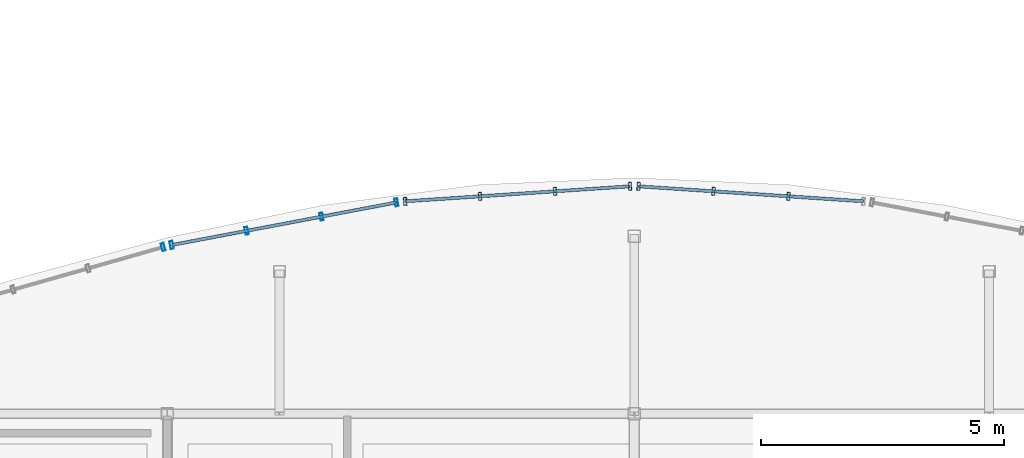
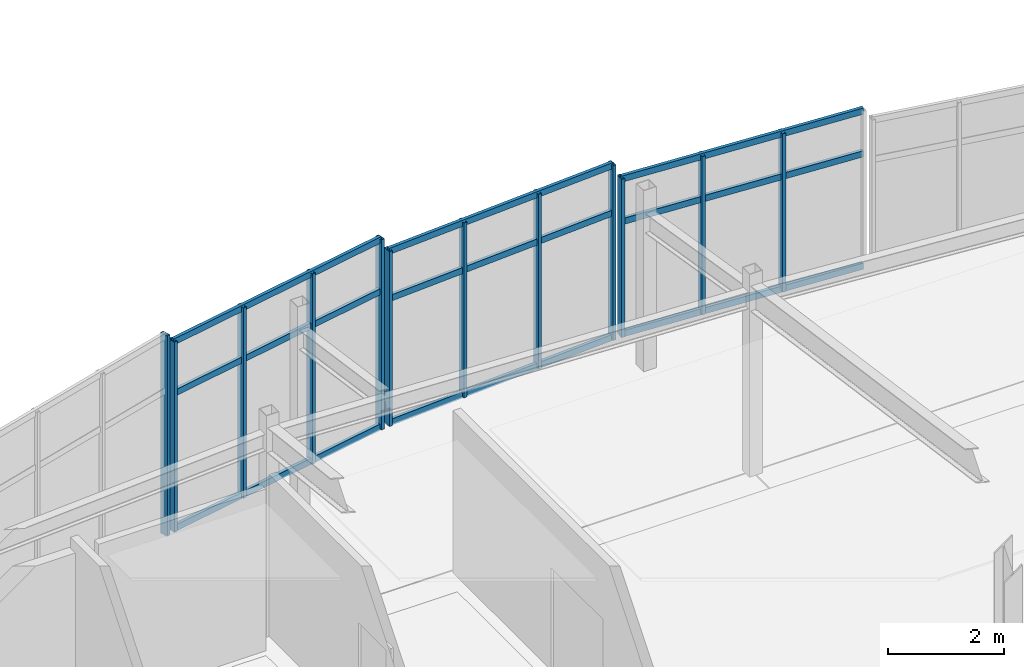
# One storey, part 32 of 114: 21 members, 4 elements without a shape of their own.
"""IFC4 building model written with IfcOpenShell, lengths in metres."""

from ifc_helpers import new_model, si_unit, direction, frame, origin, origin_2d, place, context, subcontext, project, spatial, hollow_rectangle, extrude, material, layer, layer_set, material_profile, profile_set, type_object, element, aggregate, save


model = new_model("IFC4")

# Units and contexts
model_context = context("Model", 3, precision=1e-05, world=origin(), true_north=direction((0.0, 1.0)))
body_context = subcontext(model_context, "Body", "Model", "MODEL_VIEW")
ifc_project = project(units=[si_unit("LENGTHUNIT", "METRE"), si_unit("AREAUNIT", "SQUARE_METRE"), si_unit("VOLUMEUNIT", "CUBIC_METRE"), si_unit("PLANEANGLEUNIT", "RADIAN"), si_unit("MASSUNIT", "GRAM", prefix="KILO")], contexts=[model_context])

# Site, building, storey
site_placement = place(None, origin())
site = spatial("IfcSite", under=ifc_project, at=site_placement, CompositionType="ELEMENT")
building_placement = place(site_placement, origin())
building = spatial("IfcBuilding", under=site, at=building_placement, Name="Chalmorin Arch Market", CompositionType="ELEMENT")
storey_placement = place(building_placement, frame((0.0, 0.0, 9.60009765625)))
storey = spatial("IfcBuildingStorey", under=building, at=storey_placement, Name="L02", CompositionType="ELEMENT", Elevation=9.60009765625)

# Curtain wall, member
ifc_material = material(Name="Aluminium 6063-T6", Category="aluminium")
ifc_layer_1 = layer(ifc_material, 0.159912109375)
ifc_layer_set_1 = layer_set([ifc_layer_1], Name="Aluminium 6063-T6")
curtain_wall_type_1 = type_object("IfcCurtainWallType", Name="RiverfrontStorefrontCurtainWall-CW2-4810x4210", PredefinedType="NOTDEFINED", material=ifc_layer_set_1)
curtain_wall_1_placement = place(storey_placement, origin())
curtain_wall_1 = element("IfcCurtainWall", 1, at=curtain_wall_1_placement, inside=storey, type_object=curtain_wall_type_1, Name="CW-02-074", PredefinedType="NOTDEFINED")
ifc_material_profile_1 = material_profile(ifc_material, hollow_rectangle(XDim=0.06494140625, YDim=0.159912109375, WallThickness=0.00390625, at=origin_2d()), Name="ALU65X160X4")
ifc_profile_set_1 = profile_set([ifc_material_profile_1], Name="Aluminium 6063-T6")
member_type_1 = type_object("IfcMemberType", Name="CurtainWallMullion-65x160", PredefinedType="MULLION", material=ifc_profile_set_1)
member_1_placement = place(storey_placement, frame((9.513427734375, 53.42529296875, 0.0), z_axis=(0.0, 0.0, 1.0), x_axis=(0.961261695938, 0.275637355817, 0.0)))
member_1 = element("IfcMember", 2, at=member_1_placement, type_object=member_type_1, Name="ML-074-04", PredefinedType="MULLION", context=body_context, shape_type="SweptSolid", body=[
    extrude(hollow_rectangle(XDim=0.06494140625, YDim=0.159912109375, WallThickness=0.00390625, at=origin_2d()), origin(), (0.0, 0.0, 1.0), 4.212890625),
])
aggregate(curtain_wall_1, [member_1])

# Curtain wall, members
ifc_layer_2 = layer(ifc_material, 0.159912109375)
ifc_layer_set_2 = layer_set([ifc_layer_2], Name="Aluminium 6063-T6")
curtain_wall_type_2 = type_object("IfcCurtainWallType", Name="RiverfrontStorefrontCurtainWall-CW2-4710x4000", PredefinedType="NOTDEFINED", material=ifc_layer_set_2)
curtain_wall_2_placement = place(storey_placement, origin())
curtain_wall_2 = element("IfcCurtainWall", 3, at=curtain_wall_2_placement, inside=storey, type_object=curtain_wall_type_2, Name="CW-02-077", PredefinedType="NOTDEFINED")
member_2_placement = place(storey_placement, frame((9.6884765625, 53.466796875, 0.0), z_axis=(0.0, 0.0, 1.0), x_axis=(0.981627183448, 0.190808995377, 0.0)))
member_2 = element("IfcMember", 4, at=member_2_placement, type_object=member_type_1, Name="ML-077-01", PredefinedType="MULLION", context=body_context, shape_type="SweptSolid", body=[
    extrude(hollow_rectangle(XDim=0.06494140625, YDim=0.159912109375, WallThickness=0.00390625, at=origin_2d()), origin(), (0.0, 0.0, 1.0), 3.995849609375),
])
member_3_placement = place(storey_placement, frame((11.2294921875, 53.7587890625, 0.0), z_axis=(0.0, 0.0, 1.0), x_axis=(0.981627183448, 0.190808995377, 0.0)))
member_3 = element("IfcMember", 5, at=member_3_placement, type_object=member_type_1, Name="ML-077-02", PredefinedType="MULLION", context=body_context, shape_type="SweptSolid", body=[
    extrude(hollow_rectangle(XDim=0.06494140625, YDim=0.159912109375, WallThickness=0.00390625, at=origin_2d()), origin(), (0.0, 0.0, 1.0), 3.995849609375),
])
member_4_placement = place(storey_placement, frame((12.7705078125, 54.051025390625, 0.0), z_axis=(0.0, 0.0, 1.0), x_axis=(0.981627183448, 0.190808995377, 0.0)))
member_4 = element("IfcMember", 6, at=member_4_placement, type_object=member_type_1, Name="ML-077-03", PredefinedType="MULLION", context=body_context, shape_type="SweptSolid", body=[
    extrude(hollow_rectangle(XDim=0.06494140625, YDim=0.159912109375, WallThickness=0.00390625, at=origin_2d()), origin(), (0.0, 0.0, 1.0), 3.995849609375),
])
member_5_placement = place(storey_placement, frame((14.3115234375, 54.34326171875, 0.0), z_axis=(0.0, 0.0, 1.0), x_axis=(0.981627183448, 0.190808995377, 0.0)))
member_5 = element("IfcMember", 7, at=member_5_placement, type_object=member_type_1, Name="ML-077-04", PredefinedType="MULLION", context=body_context, shape_type="SweptSolid", body=[
    extrude(hollow_rectangle(XDim=0.06494140625, YDim=0.159912109375, WallThickness=0.00390625, at=origin_2d()), origin(), (0.0, 0.0, 1.0), 3.995849609375),
])

ifc_layer_3 = layer(ifc_material, 0.159912109375)
ifc_layer_set_3 = layer_set([ifc_layer_3], Name="Aluminium 6063-T6")
curtain_wall_type_3 = type_object("IfcCurtainWallType", Name="RiverfrontStorefrontCurtainWall-CW2-4630x3670", PredefinedType="NOTDEFINED", material=ifc_layer_set_3)
curtain_wall_3_placement = place(storey_placement, origin())
curtain_wall_3 = element("IfcCurtainWall", 8, at=curtain_wall_3_placement, inside=storey, type_object=curtain_wall_type_3, Name="CW-02-080", PredefinedType="NOTDEFINED")
member_6_placement = place(storey_placement, frame((14.48974609375, 54.365966796875, 0.0), z_axis=(0.0, 0.0, 1.0), x_axis=(0.99756405026, 0.069756473744, 0.0)))
member_6 = element("IfcMember", 9, at=member_6_placement, type_object=member_type_1, Name="ML-080-01", PredefinedType="MULLION", context=body_context, shape_type="SweptSolid", body=[
    extrude(hollow_rectangle(XDim=0.06494140625, YDim=0.159912109375, WallThickness=0.00390625, at=origin_2d()), origin(), (0.0, 0.0, 1.0), 3.673828125),
])
member_7_placement = place(storey_placement, frame((16.02978515625, 54.46875, 0.0), z_axis=(0.0, 0.0, 1.0), x_axis=(0.99756405026, 0.069756473744, 0.0)))
member_7 = element("IfcMember", 10, at=member_7_placement, type_object=member_type_1, Name="ML-080-02", PredefinedType="MULLION", context=body_context, shape_type="SweptSolid", body=[
    extrude(hollow_rectangle(XDim=0.06494140625, YDim=0.159912109375, WallThickness=0.00390625, at=origin_2d()), origin(), (0.0, 0.0, 1.0), 3.673828125),
])
member_8_placement = place(storey_placement, frame((17.570068359375, 54.5712890625, 0.0), z_axis=(0.0, 0.0, 1.0), x_axis=(0.99756405026, 0.069756473744, 0.0)))
member_8 = element("IfcMember", 11, at=member_8_placement, type_object=member_type_1, Name="ML-080-03", PredefinedType="MULLION", context=body_context, shape_type="SweptSolid", body=[
    extrude(hollow_rectangle(XDim=0.06494140625, YDim=0.159912109375, WallThickness=0.00390625, at=origin_2d()), origin(), (0.0, 0.0, 1.0), 3.673828125),
])
member_9_placement = place(storey_placement, frame((19.110107421875, 54.674072265625, 0.0), z_axis=(0.0, 0.0, 1.0), x_axis=(0.99756405026, 0.069756473744, 0.0)))
member_9 = element("IfcMember", 12, at=member_9_placement, type_object=member_type_1, Name="ML-080-04", PredefinedType="MULLION", context=body_context, shape_type="SweptSolid", body=[
    extrude(hollow_rectangle(XDim=0.06494140625, YDim=0.159912109375, WallThickness=0.00390625, at=origin_2d()), origin(), (0.0, 0.0, 1.0), 3.673828125),
])

ifc_layer_4 = layer(ifc_material, 0.159912109375)
ifc_layer_set_4 = layer_set([ifc_layer_4], Name="Aluminium 6063-T6")
curtain_wall_type_4 = type_object("IfcCurtainWallType", Name="RiverfrontStorefrontCurtainWall-CW2-4630x3330", PredefinedType="NOTDEFINED", material=ifc_layer_set_4)
curtain_wall_4_placement = place(storey_placement, origin())
curtain_wall_4 = element("IfcCurtainWall", 13, at=curtain_wall_4_placement, inside=storey, type_object=curtain_wall_type_4, Name="CW-02-083", PredefinedType="NOTDEFINED")
member_10_placement = place(storey_placement, frame((19.289794921875, 54.674072265625, 0.0), z_axis=(0.0, 0.0, 1.0), x_axis=(0.99756405026, -0.069756473744, 0.0)))
member_10 = element("IfcMember", 14, at=member_10_placement, type_object=member_type_1, Name="ML-083-01", PredefinedType="MULLION", context=body_context, shape_type="SweptSolid", body=[
    extrude(hollow_rectangle(XDim=0.06494140625, YDim=0.159912109375, WallThickness=0.00390625, at=origin_2d()), origin(), (0.0, 0.0, 1.0), 3.325927734375),
])
member_11_placement = place(storey_placement, frame((20.829833984375, 54.5712890625, 0.0), z_axis=(0.0, 0.0, 1.0), x_axis=(0.99756405026, -0.069756473744, 0.0)))
member_11 = element("IfcMember", 15, at=member_11_placement, type_object=member_type_1, Name="ML-083-02", PredefinedType="MULLION", context=body_context, shape_type="SweptSolid", body=[
    extrude(hollow_rectangle(XDim=0.06494140625, YDim=0.159912109375, WallThickness=0.00390625, at=origin_2d()), origin(), (0.0, 0.0, 1.0), 3.325927734375),
])
member_12_placement = place(storey_placement, frame((22.3701171875, 54.46875, 0.0), z_axis=(0.0, 0.0, 1.0), x_axis=(0.99756405026, -0.069756473744, 0.0)))
member_12 = element("IfcMember", 16, at=member_12_placement, type_object=member_type_1, Name="ML-083-03", PredefinedType="MULLION", context=body_context, shape_type="SweptSolid", body=[
    extrude(hollow_rectangle(XDim=0.06494140625, YDim=0.159912109375, WallThickness=0.00390625, at=origin_2d()), origin(), (0.0, 0.0, 1.0), 3.325927734375),
])

# Member
ifc_material_profile_2 = material_profile(ifc_material, hollow_rectangle(XDim=0.06494140625, YDim=0.1298828125, WallThickness=0.00390625, at=origin_2d()), Name="ALU65X130X4")
ifc_profile_set_2 = profile_set([ifc_material_profile_2], Name="Aluminium 6063-T6")
member_type_2 = type_object("IfcMemberType", Name="CurtainWallTransom-65x130", PredefinedType="USERDEFINED", material=ifc_profile_set_2)
member_13_placement = place(storey_placement, frame((9.6884765625, 53.466796875, 0.034912109375), z_axis=(0.982498968618, 0.186268023729, 0.0), x_axis=(-0.186268023729, 0.982498968618, 0.0)))
member_13 = element("IfcMember", 17, at=member_13_placement, type_object=member_type_2, Name="TR-077-01", ObjectType="TRANSOM", PredefinedType="USERDEFINED", context=body_context, shape_type="SweptSolid", body=[
    extrude(hollow_rectangle(XDim=0.06494140625, YDim=0.1298828125, WallThickness=0.00390625, at=origin_2d()), origin(), (0.0, 0.0, 1.0), 4.705322265625),
])

member_14_placement = place(storey_placement, frame((9.6884765625, 53.466796875, 2.876953125), z_axis=(0.982498968618, 0.186268023729, 0.0), x_axis=(-0.186268023729, 0.982498968618, 0.0)))
member_14 = element("IfcMember", 18, at=member_14_placement, type_object=member_type_2, Name="TR-077-02", ObjectType="TRANSOM", PredefinedType="USERDEFINED", context=body_context, shape_type="SweptSolid", body=[
    extrude(hollow_rectangle(XDim=0.06494140625, YDim=0.1298828125, WallThickness=0.00390625, at=origin_2d()), origin(), (0.0, 0.0, 1.0), 4.705322265625),
])

member_15_placement = place(storey_placement, frame((9.6884765625, 53.466796875, 3.9609375), z_axis=(0.982498968618, 0.186268023729, 0.0), x_axis=(-0.186268023729, 0.982498968618, 0.0)))
member_15 = element("IfcMember", 19, at=member_15_placement, type_object=member_type_2, Name="TR-077-03", ObjectType="TRANSOM", PredefinedType="USERDEFINED", context=body_context, shape_type="SweptSolid", body=[
    extrude(hollow_rectangle(XDim=0.06494140625, YDim=0.1298828125, WallThickness=0.00390625, at=origin_2d()), origin(), (0.0, 0.0, 1.0), 4.705322265625),
])

aggregate(curtain_wall_2, [member_2, member_3, member_4, member_5, member_13, member_14, member_15])

member_16_placement = place(storey_placement, frame((14.48974609375, 54.365966796875, 0.034912109375), z_axis=(0.997783991264, 0.066536507106, 0.0), x_axis=(-0.066536507106, 0.997783991264, 0.0)))
member_16 = element("IfcMember", 20, at=member_16_placement, type_object=member_type_2, Name="TR-080-01", ObjectType="TRANSOM", PredefinedType="USERDEFINED", context=body_context, shape_type="SweptSolid", body=[
    extrude(hollow_rectangle(XDim=0.06494140625, YDim=0.1298828125, WallThickness=0.00390625, at=origin_2d()), origin(), (0.0, 0.0, 1.0), 4.630615234375),
])

member_17_placement = place(storey_placement, frame((14.48974609375, 54.365966796875, 2.645263671875), z_axis=(0.997783991264, 0.066536507106, 0.0), x_axis=(-0.066536507106, 0.997783991264, 0.0)))
member_17 = element("IfcMember", 21, at=member_17_placement, type_object=member_type_2, Name="TR-080-02", ObjectType="TRANSOM", PredefinedType="USERDEFINED", context=body_context, shape_type="SweptSolid", body=[
    extrude(hollow_rectangle(XDim=0.06494140625, YDim=0.1298828125, WallThickness=0.00390625, at=origin_2d()), origin(), (0.0, 0.0, 1.0), 4.630615234375),
])

member_18_placement = place(storey_placement, frame((14.48974609375, 54.365966796875, 3.638916015625), z_axis=(0.997783991264, 0.066536507106, 0.0), x_axis=(-0.066536507106, 0.997783991264, 0.0)))
member_18 = element("IfcMember", 22, at=member_18_placement, type_object=member_type_2, Name="TR-080-03", ObjectType="TRANSOM", PredefinedType="USERDEFINED", context=body_context, shape_type="SweptSolid", body=[
    extrude(hollow_rectangle(XDim=0.06494140625, YDim=0.1298828125, WallThickness=0.00390625, at=origin_2d()), origin(), (0.0, 0.0, 1.0), 4.630615234375),
])

aggregate(curtain_wall_3, [member_6, member_7, member_8, member_9, member_16, member_17, member_18])

member_19_placement = place(storey_placement, frame((19.289794921875, 54.674072265625, 0.034912109375), z_axis=(0.997783991264, -0.066536507106, 0.0), x_axis=(0.066536507106, 0.997783991264, 0.0)))
member_19 = element("IfcMember", 23, at=member_19_placement, type_object=member_type_2, Name="TR-083-01", ObjectType="TRANSOM", PredefinedType="USERDEFINED", context=body_context, shape_type="SweptSolid", body=[
    extrude(hollow_rectangle(XDim=0.06494140625, YDim=0.1298828125, WallThickness=0.00390625, at=origin_2d()), origin(), (0.0, 0.0, 1.0), 4.630615234375),
])

member_20_placement = place(storey_placement, frame((19.289794921875, 54.674072265625, 2.39453125), z_axis=(0.997783991264, -0.066536507106, 0.0), x_axis=(0.066536507106, 0.997783991264, 0.0)))
member_20 = element("IfcMember", 24, at=member_20_placement, type_object=member_type_2, Name="TR-083-02", ObjectType="TRANSOM", PredefinedType="USERDEFINED", context=body_context, shape_type="SweptSolid", body=[
    extrude(hollow_rectangle(XDim=0.06494140625, YDim=0.1298828125, WallThickness=0.00390625, at=origin_2d()), origin(), (0.0, 0.0, 1.0), 4.630615234375),
])

member_21_placement = place(storey_placement, frame((19.289794921875, 54.674072265625, 3.291015625), z_axis=(0.997783991264, -0.066536507106, 0.0), x_axis=(0.066536507106, 0.997783991264, 0.0)))
member_21 = element("IfcMember", 25, at=member_21_placement, type_object=member_type_2, Name="TR-083-03", ObjectType="TRANSOM", PredefinedType="USERDEFINED", context=body_context, shape_type="SweptSolid", body=[
    extrude(hollow_rectangle(XDim=0.06494140625, YDim=0.1298828125, WallThickness=0.00390625, at=origin_2d()), origin(), (0.0, 0.0, 1.0), 4.630615234375),
])

aggregate(curtain_wall_4, [member_10, member_11, member_12, member_19, member_20, member_21])

save(model, "model.ifc")
